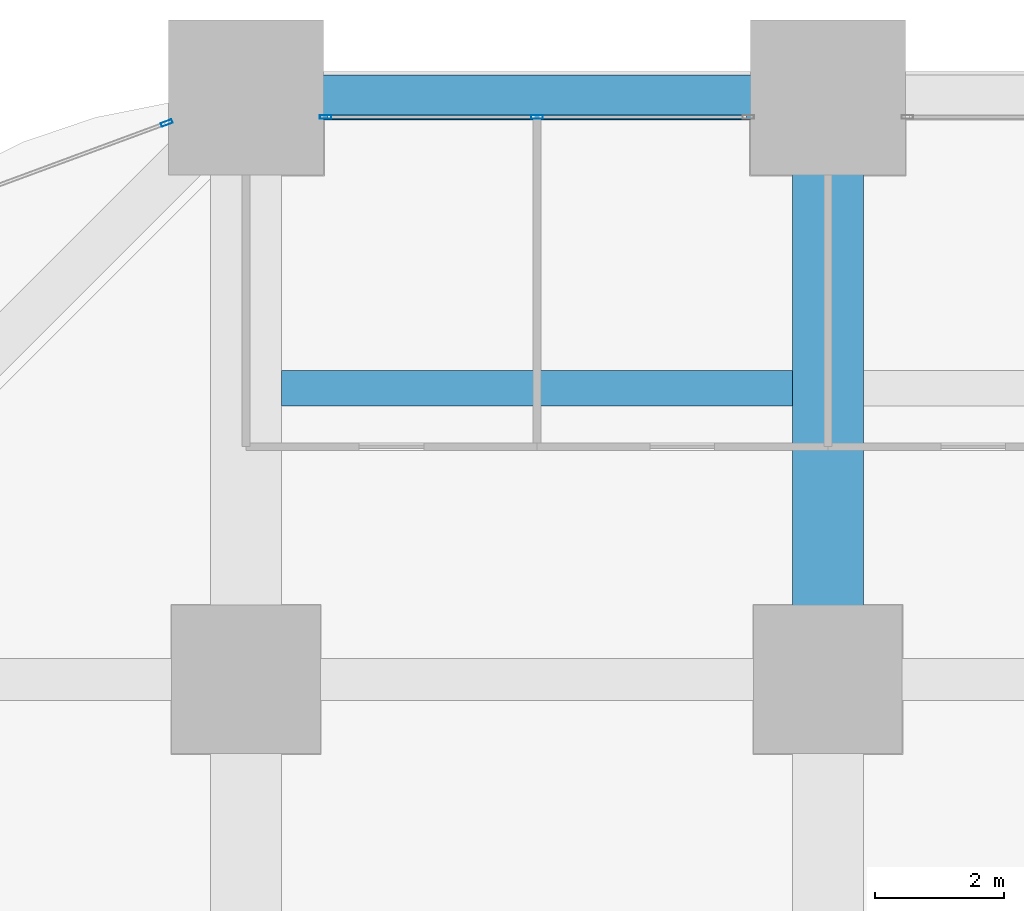
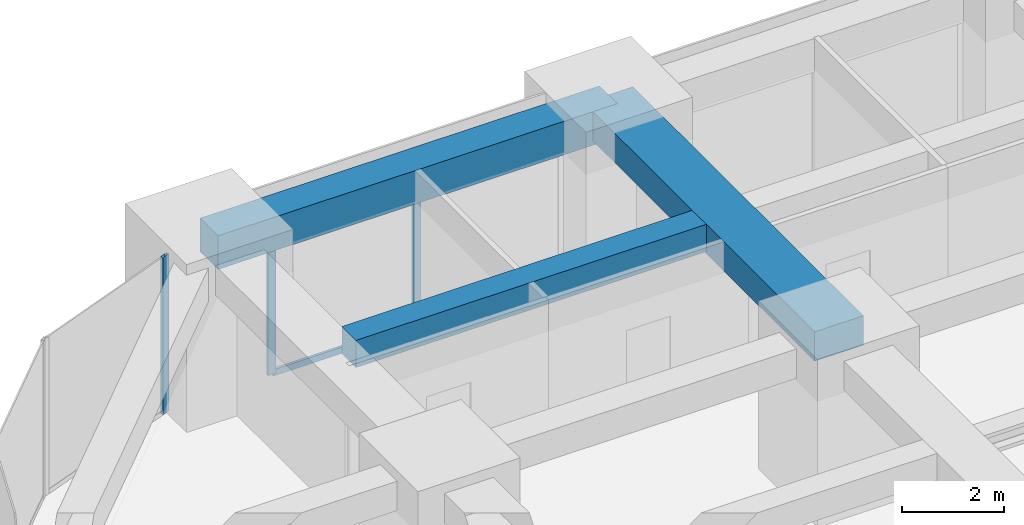
# One storey, part 28 of 45: 4 members, 3 beams, 2 elements without a shape of their own.
"""IFC4 building model written with IfcOpenShell, lengths in metres."""

from ifc_helpers import new_model, si_unit, direction, frame, origin, origin_2d, place, context, subcontext, project, spatial, rectangle, hollow_rectangle, extrude, material, material_profile, profile_set, type_object, element, aggregate, save


model = new_model("IFC4")

# Units and contexts
model_context = context("Model", 3, precision=1e-05, world=origin(), true_north=direction((0.0, 1.0)))
body_context = subcontext(model_context, "Body", "Model", "MODEL_VIEW")
ifc_project = project(units=[si_unit("LENGTHUNIT", "METRE"), si_unit("AREAUNIT", "SQUARE_METRE"), si_unit("VOLUMEUNIT", "CUBIC_METRE"), si_unit("PLANEANGLEUNIT", "RADIAN"), si_unit("MASSUNIT", "GRAM", prefix="KILO")], contexts=[model_context])

# Site, building, storey
site_placement = place(None, origin())
site = spatial("IfcSite", under=ifc_project, at=site_placement, CompositionType="ELEMENT")
building_placement = place(site_placement, origin())
building = spatial("IfcBuilding", under=site, at=building_placement, Name="Zorevar Civic Tower", CompositionType="ELEMENT")
storey_placement = place(building_placement, frame((0.0, 0.0, 47.800048828125)))
storey = spatial("IfcBuildingStorey", under=building, at=storey_placement, Name="L11", CompositionType="ELEMENT", Elevation=47.800048828125)

# Beams
ifc_material_1 = material(Name="Concrete C50/60", Category="concrete")
ifc_material_profile_1 = material_profile(ifc_material_1, rectangle(XDim=1.10009765625, YDim=0.699951171875, at=origin_2d()), Name="RC 1100x700")
ifc_profile_set_1 = profile_set([ifc_material_profile_1], Name="Concrete C50/60")
beam_type_1 = type_object("IfcBeamType", Name="Beam RC 1100x700", PredefinedType="BEAM", material=ifc_profile_set_1)
beam_1_placement = place(storey_placement, frame((18.0, 45.0, 3.39990234375), z_axis=(0.0, 1.0, 0.0), x_axis=(-1.0, 0.0, 0.0)))
element("IfcBeam", 1, at=beam_1_placement, inside=storey, type_object=beam_type_1, Name="Girder L12", PredefinedType="BEAM", context=body_context, shape_type="SweptSolid", body=[
    extrude(rectangle(XDim=1.10009765625, YDim=0.699951171875, at=origin_2d()), origin(), (0.0, 0.0, 1.0), 9.0),
])
ifc_material_2 = material(Name="Concrete C50/60", Category="concrete")
ifc_material_profile_2 = material_profile(ifc_material_2, rectangle(XDim=0.550048828125, YDim=0.64990234375, at=origin_2d()), Name="RC 550x650")
ifc_profile_set_2 = profile_set([ifc_material_profile_2], Name="Concrete C50/60")
beam_type_2 = type_object("IfcBeamType", Name="Beam RC 550x650", PredefinedType="BEAM", material=ifc_profile_set_2)
beam_2_placement = place(storey_placement, frame((9.550048828125, 49.5, 3.425048828125), z_axis=(1.0, 0.0, 0.0), x_axis=(0.0, 1.0, 0.0)))
element("IfcBeam", 2, at=beam_2_placement, inside=storey, type_object=beam_type_2, Name="Secondary beam L12", PredefinedType="BEAM", context=body_context, shape_type="SweptSolid", body=[
    extrude(rectangle(XDim=0.550048828125, YDim=0.64990234375, at=origin_2d()), origin(), (0.0, 0.0, 1.0), 7.89990234375),
])

# Curtain wall, members
ifc_material_3 = material(Name="Dark grey solar-control glass in black aluminium frame", Category="aluminium")
curtain_wall_type = type_object("IfcCurtainWallType", Name="Curtain wall CW2 low zone", PredefinedType="NOTDEFINED", material=ifc_material_3)
curtain_wall_1_placement = place(storey_placement, origin())
curtain_wall_1 = element("IfcCurtainWall", 3, at=curtain_wall_1_placement, inside=storey, type_object=curtain_wall_type, Name="CW2 L11", PredefinedType="NOTDEFINED")
ifc_material_4 = material(Name="Aluminium, black anodised", Category="aluminium")
ifc_material_profile_3 = material_profile(ifc_material_4, hollow_rectangle(XDim=0.06005859375, YDim=0.179931640625, WallThickness=0.00390625, at=origin_2d()), Name="AL 180x60x4")
ifc_profile_set_3 = profile_set([ifc_material_profile_3], Name="Aluminium, black anodised")
member_type_1 = type_object("IfcMemberType", Name="CW2 mullion AL 180x60x4", PredefinedType="MULLION", material=ifc_profile_set_3)
member_1_placement = place(storey_placement, frame((10.22998046875, 53.699951171875, 0.0), z_axis=(0.0, 0.0, 1.0), x_axis=(0.0, 1.0, 0.0)))
member_1 = element("IfcMember", 4, at=member_1_placement, type_object=member_type_1, Name="CW2 mullion 1", PredefinedType="MULLION", context=body_context, shape_type="SweptSolid", body=[
    extrude(hollow_rectangle(XDim=0.06005859375, YDim=0.179931640625, WallThickness=0.00390625, at=origin_2d()), origin(), (0.0, 0.0, 1.0), 2.949951171875),
])
member_2_placement = place(storey_placement, frame((13.5, 53.699951171875, 0.06005859375), z_axis=(0.0, 0.0, 1.0), x_axis=(0.0, 1.0, 0.0)))
member_2 = element("IfcMember", 5, at=member_2_placement, type_object=member_type_1, Name="CW2 mullion 2", PredefinedType="MULLION", context=body_context, shape_type="SweptSolid", body=[
    extrude(hollow_rectangle(XDim=0.06005859375, YDim=0.179931640625, WallThickness=0.00390625, at=origin_2d()), origin(), (0.0, 0.0, 1.0), 2.889892578125),
])

# Curtain wall, member
curtain_wall_2_placement = place(storey_placement, origin())
curtain_wall_2 = element("IfcCurtainWall", 6, at=curtain_wall_2_placement, inside=storey, type_object=curtain_wall_type, Name="CW2 L11", PredefinedType="NOTDEFINED")
member_3_placement = place(storey_placement, frame((7.77197265625, 53.6064453125, 0.0), z_axis=(0.0, 0.0, 1.0), x_axis=(0.346704012033, -0.937974588163, 0.0)))
member_3 = element("IfcMember", 7, at=member_3_placement, type_object=member_type_1, Name="CW2 mullion 1", PredefinedType="MULLION", context=body_context, shape_type="SweptSolid", body=[
    extrude(hollow_rectangle(XDim=0.06005859375, YDim=0.179931640625, WallThickness=0.00390625, at=origin_2d()), origin(), (0.0, 0.0, 1.0), 3.75),
])
aggregate(curtain_wall_2, [member_3])

# Member
ifc_material_5 = material(Name="Aluminium, black anodised", Category="aluminium")
ifc_material_profile_4 = material_profile(ifc_material_5, hollow_rectangle(XDim=0.06005859375, YDim=0.14990234375, WallThickness=0.00390625, at=origin_2d()), Name="AL 150x60x4")
ifc_profile_set_4 = profile_set([ifc_material_profile_4], Name="Aluminium, black anodised")
member_type_2 = type_object("IfcMemberType", Name="CW2 transom AL 150x60x4", PredefinedType="USERDEFINED", material=ifc_profile_set_4)
member_4_placement = place(storey_placement, frame((10.260009765625, 53.699951171875, 0.030029296875), z_axis=(1.0, 0.0, 0.0), x_axis=(0.0, 1.0, 0.0)))
member_4 = element("IfcMember", 8, at=member_4_placement, type_object=member_type_2, Name="CW2 sill transom", ObjectType="TRANSOM", PredefinedType="USERDEFINED", context=body_context, shape_type="SweptSolid", body=[
    extrude(hollow_rectangle(XDim=0.06005859375, YDim=0.14990234375, WallThickness=0.00390625, at=origin_2d()), origin(), (0.0, 0.0, 1.0), 6.47998046875),
])

aggregate(curtain_wall_1, [member_1, member_2, member_4])

# Beam
ifc_material_6 = material(Name="Concrete C50/60", Category="concrete")
ifc_material_profile_5 = material_profile(ifc_material_6, rectangle(XDim=0.699951171875, YDim=0.800048828125, at=origin_2d()), Name="RC 700x800")
ifc_profile_set_5 = profile_set([ifc_material_profile_5], Name="Concrete C50/60")
beam_type_3 = type_object("IfcBeamType", Name="Edge beam RC 700x800", PredefinedType="SPANDREL", material=ifc_profile_set_5)
beam_3_placement = place(storey_placement, frame((9.0, 54.0, 3.349853515625), z_axis=(1.0, 0.0, 0.0), x_axis=(0.0, 1.0, 0.0)))
element("IfcBeam", 9, at=beam_3_placement, inside=storey, type_object=beam_type_3, Name="Edge beam L12", PredefinedType="SPANDREL", context=body_context, shape_type="SweptSolid", body=[
    extrude(rectangle(XDim=0.699951171875, YDim=0.800048828125, at=origin_2d()), origin(), (0.0, 0.0, 1.0), 9.0),
])

save(model, "model.ifc")
